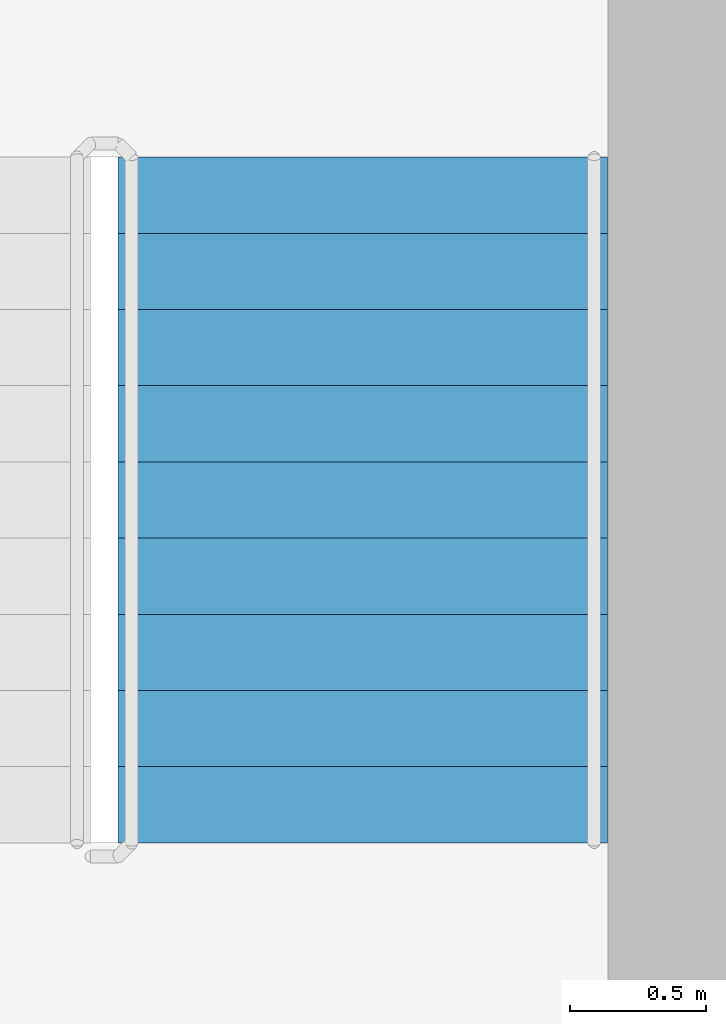
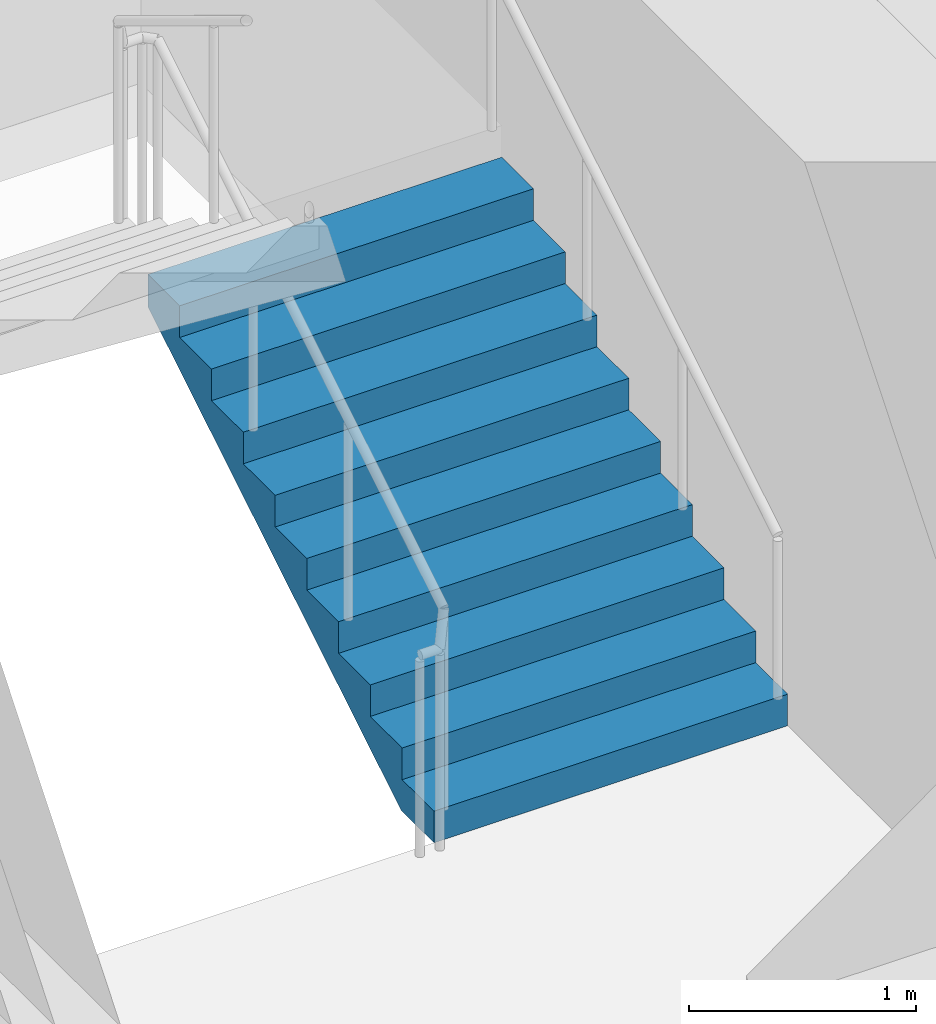
# One storey, part 13 of 23: 1 stair flight, 1 element without a shape of its own.
"""IFC4 building model written with IfcOpenShell, lengths in metres."""

from ifc_helpers import new_model, si_unit, direction, frame, origin, place, context, subcontext, project, spatial, triangles, source, transform, mapped, material, type_object, element, aggregate, save


model = new_model("IFC4")

# Units and contexts
model_context = context("Model", 3, precision=1e-05, world=origin(), true_north=direction((0.0, 1.0)))
body_context = subcontext(model_context, "Body", "Model", "MODEL_VIEW")
ifc_project = project(units=[si_unit("LENGTHUNIT", "METRE"), si_unit("AREAUNIT", "SQUARE_METRE"), si_unit("VOLUMEUNIT", "CUBIC_METRE"), si_unit("PLANEANGLEUNIT", "RADIAN"), si_unit("MASSUNIT", "GRAM", prefix="KILO")], contexts=[model_context])

# Site, building, storey
site_placement = place(None, origin())
site = spatial("IfcSite", under=ifc_project, at=site_placement, CompositionType="ELEMENT")
building_placement = place(site_placement, origin())
building = spatial("IfcBuilding", under=site, at=building_placement, Name="Kilnfold Tower and Market Hall", CompositionType="ELEMENT")
storey_placement = place(building_placement, frame((0.0, 0.0, 178.699951171875)))
storey = spatial("IfcBuildingStorey", under=building, at=storey_placement, Name="L42", CompositionType="ELEMENT", Elevation=178.699951171875)

# Stair, stair flight
ifc_material_1 = material(Name="Concrete C40/50", Category="concrete")
stair_type = type_object("IfcStairType", Name="CORE STAIR 1800", PredefinedType="HALF_TURN_STAIR", material=ifc_material_1)
stair_placement = place(storey_placement, origin())
stair = element("IfcStair", 1, at=stair_placement, inside=storey, type_object=stair_type, Name="L42 ST2", PredefinedType="HALF_TURN_STAIR")
ifc_material_2 = material(Name="Concrete C40/50", Category="concrete")
stair_flight_type = type_object("IfcStairFlightType", Name="CORE STAIR FLIGHT 1800", PredefinedType="STRAIGHT", material=ifc_material_2)
shared_shape = source(origin(), body_context, "Body", "Tessellation", [
    triangles([(0.0, 0.89990234375, 0.0), (0.0, 0.78759765625, 0.0), (0.0, 0.675048828125, 0.0), (0.0, 0.5625, 0.0), (0.0, 0.449951171875, 0.0), (0.0, 0.33740234375, 0.0), (0.0, 0.22509765625, 0.0), (0.0, 0.112548828125, 0.0), (0.0, 0.0, 0.0), (0.0, -0.112548828125, 0.0), (0.0, -0.22509765625, 0.0), (0.0, -0.33740234375, 0.0), (0.0, -0.449951171875, 0.0), (0.0, -0.5625, 0.0), (0.0, -0.675048828125, 0.0), (0.0, -0.78759765625, 0.0), (0.0, -0.89990234375, 0.0), (0.0, 0.89990234375, 0.169921875), (0.0, 0.78759765625, 0.169921875), (0.0, 0.675048828125, 0.169921875), (0.0, 0.5625, 0.169921875), (0.0, 0.449951171875, 0.169921875), (0.0, 0.33740234375, 0.169921875), (0.0, 0.22509765625, 0.169921875), (0.0, 0.112548828125, 0.169921875), (0.0, 0.0, 0.169921875), (0.0, -0.112548828125, 0.169921875), (0.0, -0.22509765625, 0.169921875), (0.0, -0.33740234375, 0.169921875), (0.0, -0.449951171875, 0.169921875), (0.0, -0.5625, 0.169921875), (0.0, -0.675048828125, 0.169921875), (0.0, -0.78759765625, 0.169921875), (0.0, -0.89990234375, 0.169921875), (0.280029296875, 0.89990234375, 0.169921875), (0.280029296875, 0.78759765625, 0.169921875), (0.280029296875, 0.675048828125, 0.169921875), (0.280029296875, 0.5625, 0.169921875), (0.280029296875, 0.449951171875, 0.169921875), (0.280029296875, 0.33740234375, 0.169921875), (0.280029296875, 0.22509765625, 0.169921875), (0.280029296875, 0.112548828125, 0.169921875), (0.280029296875, 0.0, 0.169921875), (0.280029296875, -0.112548828125, 0.169921875), (0.280029296875, -0.22509765625, 0.169921875), (0.280029296875, -0.33740234375, 0.169921875), (0.280029296875, -0.449951171875, 0.169921875), (0.280029296875, -0.5625, 0.169921875), (0.280029296875, -0.675048828125, 0.169921875), (0.280029296875, -0.78759765625, 0.169921875), (0.280029296875, -0.89990234375, 0.169921875), (0.280029296875, 0.89990234375, 0.340087890625), (0.280029296875, 0.78759765625, 0.340087890625), (0.280029296875, 0.675048828125, 0.340087890625), (0.280029296875, 0.5625, 0.340087890625), (0.280029296875, 0.449951171875, 0.340087890625), (0.280029296875, 0.33740234375, 0.340087890625), (0.280029296875, 0.22509765625, 0.340087890625), (0.280029296875, 0.112548828125, 0.340087890625), (0.280029296875, 0.0, 0.340087890625), (0.280029296875, -0.112548828125, 0.340087890625), (0.280029296875, -0.22509765625, 0.340087890625), (0.280029296875, -0.33740234375, 0.340087890625), (0.280029296875, -0.449951171875, 0.340087890625), (0.280029296875, -0.5625, 0.340087890625), (0.280029296875, -0.675048828125, 0.340087890625), (0.280029296875, -0.78759765625, 0.340087890625), (0.280029296875, -0.89990234375, 0.340087890625), (0.56005859375, 0.89990234375, 0.340087890625), (0.56005859375, 0.78759765625, 0.340087890625), (0.56005859375, 0.675048828125, 0.340087890625), (0.56005859375, 0.5625, 0.340087890625), (0.56005859375, 0.449951171875, 0.340087890625), (0.56005859375, 0.33740234375, 0.340087890625), (0.56005859375, 0.22509765625, 0.340087890625), (0.56005859375, 0.112548828125, 0.340087890625), (0.56005859375, 0.0, 0.340087890625), (0.56005859375, -0.112548828125, 0.340087890625), (0.56005859375, -0.22509765625, 0.340087890625), (0.56005859375, -0.33740234375, 0.340087890625), (0.56005859375, -0.449951171875, 0.340087890625), (0.56005859375, -0.5625, 0.340087890625), (0.56005859375, -0.675048828125, 0.340087890625), (0.56005859375, -0.78759765625, 0.340087890625), (0.56005859375, -0.89990234375, 0.340087890625), (0.56005859375, 0.89990234375, 0.510009765625), (0.56005859375, 0.78759765625, 0.510009765625), (0.56005859375, 0.675048828125, 0.510009765625), (0.56005859375, 0.5625, 0.510009765625), (0.56005859375, 0.449951171875, 0.510009765625), (0.56005859375, 0.33740234375, 0.510009765625), (0.56005859375, 0.22509765625, 0.510009765625), (0.56005859375, 0.112548828125, 0.510009765625), (0.56005859375, 0.0, 0.510009765625), (0.56005859375, -0.112548828125, 0.510009765625), (0.56005859375, -0.22509765625, 0.510009765625), (0.56005859375, -0.33740234375, 0.510009765625), (0.56005859375, -0.449951171875, 0.510009765625), (0.56005859375, -0.5625, 0.510009765625), (0.56005859375, -0.675048828125, 0.510009765625), (0.56005859375, -0.78759765625, 0.510009765625), (0.56005859375, -0.89990234375, 0.510009765625), (0.840087890625, 0.89990234375, 0.510009765625), (0.840087890625, 0.78759765625, 0.510009765625), (0.840087890625, 0.675048828125, 0.510009765625), (0.840087890625, 0.5625, 0.510009765625), (0.840087890625, 0.449951171875, 0.510009765625), (0.840087890625, 0.33740234375, 0.510009765625), (0.840087890625, 0.22509765625, 0.510009765625), (0.840087890625, 0.112548828125, 0.510009765625), (0.840087890625, 0.0, 0.510009765625), (0.840087890625, -0.112548828125, 0.510009765625), (0.840087890625, -0.22509765625, 0.510009765625), (0.840087890625, -0.33740234375, 0.510009765625), (0.840087890625, -0.449951171875, 0.510009765625), (0.840087890625, -0.5625, 0.510009765625), (0.840087890625, -0.675048828125, 0.510009765625), (0.840087890625, -0.78759765625, 0.510009765625), (0.840087890625, -0.89990234375, 0.510009765625), (0.840087890625, 0.89990234375, 0.679931640625), (0.840087890625, 0.78759765625, 0.679931640625), (0.840087890625, 0.675048828125, 0.679931640625), (0.840087890625, 0.5625, 0.679931640625), (0.840087890625, 0.449951171875, 0.679931640625), (0.840087890625, 0.33740234375, 0.679931640625), (0.840087890625, 0.22509765625, 0.679931640625), (0.840087890625, 0.112548828125, 0.679931640625), (0.840087890625, 0.0, 0.679931640625), (0.840087890625, -0.112548828125, 0.679931640625), (0.840087890625, -0.22509765625, 0.679931640625), (0.840087890625, -0.33740234375, 0.679931640625), (0.840087890625, -0.449951171875, 0.679931640625), (0.840087890625, -0.5625, 0.679931640625), (0.840087890625, -0.675048828125, 0.679931640625), (0.840087890625, -0.78759765625, 0.679931640625), (0.840087890625, -0.89990234375, 0.679931640625), (1.1201171875, 0.89990234375, 0.679931640625), (1.1201171875, 0.78759765625, 0.679931640625), (1.1201171875, 0.675048828125, 0.679931640625), (1.1201171875, 0.5625, 0.679931640625), (1.1201171875, 0.449951171875, 0.679931640625), (1.1201171875, 0.33740234375, 0.679931640625), (1.1201171875, 0.22509765625, 0.679931640625), (1.1201171875, 0.112548828125, 0.679931640625), (1.1201171875, 0.0, 0.679931640625), (1.1201171875, -0.112548828125, 0.679931640625), (1.1201171875, -0.22509765625, 0.679931640625), (1.1201171875, -0.33740234375, 0.679931640625), (1.1201171875, -0.449951171875, 0.679931640625), (1.1201171875, -0.5625, 0.679931640625), (1.1201171875, -0.675048828125, 0.679931640625), (1.1201171875, -0.78759765625, 0.679931640625), (1.1201171875, -0.89990234375, 0.679931640625), (1.1201171875, 0.89990234375, 0.85009765625), (1.1201171875, 0.78759765625, 0.85009765625), (1.1201171875, 0.675048828125, 0.85009765625), (1.1201171875, 0.5625, 0.85009765625), (1.1201171875, 0.449951171875, 0.85009765625), (1.1201171875, 0.33740234375, 0.85009765625), (1.1201171875, 0.22509765625, 0.85009765625), (1.1201171875, 0.112548828125, 0.85009765625), (1.1201171875, 0.0, 0.85009765625), (1.1201171875, -0.112548828125, 0.85009765625), (1.1201171875, -0.22509765625, 0.85009765625), (1.1201171875, -0.33740234375, 0.85009765625), (1.1201171875, -0.449951171875, 0.85009765625), (1.1201171875, -0.5625, 0.85009765625), (1.1201171875, -0.675048828125, 0.85009765625), (1.1201171875, -0.78759765625, 0.85009765625), (1.1201171875, -0.89990234375, 0.85009765625), (1.39990234375, 0.89990234375, 0.85009765625), (1.39990234375, 0.78759765625, 0.85009765625), (1.39990234375, 0.675048828125, 0.85009765625), (1.39990234375, 0.5625, 0.85009765625), (1.39990234375, 0.449951171875, 0.85009765625), (1.39990234375, 0.33740234375, 0.85009765625), (1.39990234375, 0.22509765625, 0.85009765625), (1.39990234375, 0.112548828125, 0.85009765625), (1.39990234375, 0.0, 0.85009765625), (1.39990234375, -0.112548828125, 0.85009765625), (1.39990234375, -0.22509765625, 0.85009765625), (1.39990234375, -0.33740234375, 0.85009765625), (1.39990234375, -0.449951171875, 0.85009765625), (1.39990234375, -0.5625, 0.85009765625), (1.39990234375, -0.675048828125, 0.85009765625), (1.39990234375, -0.78759765625, 0.85009765625), (1.39990234375, -0.89990234375, 0.85009765625), (1.39990234375, 0.89990234375, 1.02001953125), (1.39990234375, 0.78759765625, 1.02001953125), (1.39990234375, 0.675048828125, 1.02001953125), (1.39990234375, 0.5625, 1.02001953125), (1.39990234375, 0.449951171875, 1.02001953125), (1.39990234375, 0.33740234375, 1.02001953125), (1.39990234375, 0.22509765625, 1.02001953125), (1.39990234375, 0.112548828125, 1.02001953125), (1.39990234375, 0.0, 1.02001953125), (1.39990234375, -0.112548828125, 1.02001953125), (1.39990234375, -0.22509765625, 1.02001953125), (1.39990234375, -0.33740234375, 1.02001953125), (1.39990234375, -0.449951171875, 1.02001953125), (1.39990234375, -0.5625, 1.02001953125), (1.39990234375, -0.675048828125, 1.02001953125), (1.39990234375, -0.78759765625, 1.02001953125), (1.39990234375, -0.89990234375, 1.02001953125), (1.679931640625, 0.89990234375, 1.02001953125), (1.679931640625, 0.78759765625, 1.02001953125), (1.679931640625, 0.675048828125, 1.02001953125), (1.679931640625, 0.5625, 1.02001953125), (1.679931640625, 0.449951171875, 1.02001953125), (1.679931640625, 0.33740234375, 1.02001953125), (1.679931640625, 0.22509765625, 1.02001953125), (1.679931640625, 0.112548828125, 1.02001953125), (1.679931640625, 0.0, 1.02001953125), (1.679931640625, -0.112548828125, 1.02001953125), (1.679931640625, -0.22509765625, 1.02001953125), (1.679931640625, -0.33740234375, 1.02001953125), (1.679931640625, -0.449951171875, 1.02001953125), (1.679931640625, -0.5625, 1.02001953125), (1.679931640625, -0.675048828125, 1.02001953125), (1.679931640625, -0.78759765625, 1.02001953125), (1.679931640625, -0.89990234375, 1.02001953125), (1.679931640625, 0.89990234375, 1.18994140625), (1.679931640625, 0.78759765625, 1.18994140625), (1.679931640625, 0.675048828125, 1.18994140625), (1.679931640625, 0.5625, 1.18994140625), (1.679931640625, 0.449951171875, 1.18994140625), (1.679931640625, 0.33740234375, 1.18994140625), (1.679931640625, 0.22509765625, 1.18994140625), (1.679931640625, 0.112548828125, 1.18994140625), (1.679931640625, 0.0, 1.18994140625), (1.679931640625, -0.112548828125, 1.18994140625), (1.679931640625, -0.22509765625, 1.18994140625), (1.679931640625, -0.33740234375, 1.18994140625), (1.679931640625, -0.449951171875, 1.18994140625), (1.679931640625, -0.5625, 1.18994140625), (1.679931640625, -0.675048828125, 1.18994140625), (1.679931640625, -0.78759765625, 1.18994140625), (1.679931640625, -0.89990234375, 1.18994140625), (1.9599609375, 0.89990234375, 1.18994140625), (1.9599609375, 0.78759765625, 1.18994140625), (1.9599609375, 0.675048828125, 1.18994140625), (1.9599609375, 0.5625, 1.18994140625), (1.9599609375, 0.449951171875, 1.18994140625), (1.9599609375, 0.33740234375, 1.18994140625), (1.9599609375, 0.22509765625, 1.18994140625), (1.9599609375, 0.112548828125, 1.18994140625), (1.9599609375, 0.0, 1.18994140625), (1.9599609375, -0.112548828125, 1.18994140625), (1.9599609375, -0.22509765625, 1.18994140625), (1.9599609375, -0.33740234375, 1.18994140625), (1.9599609375, -0.449951171875, 1.18994140625), (1.9599609375, -0.5625, 1.18994140625), (1.9599609375, -0.675048828125, 1.18994140625), (1.9599609375, -0.78759765625, 1.18994140625), (1.9599609375, -0.89990234375, 1.18994140625), (1.9599609375, 0.89990234375, 1.360107421875), (1.9599609375, 0.78759765625, 1.360107421875), (1.9599609375, 0.675048828125, 1.360107421875), (1.9599609375, 0.5625, 1.360107421875), (1.9599609375, 0.449951171875, 1.360107421875), (1.9599609375, 0.33740234375, 1.360107421875), (1.9599609375, 0.22509765625, 1.360107421875), (1.9599609375, 0.112548828125, 1.360107421875), (1.9599609375, 0.0, 1.360107421875), (1.9599609375, -0.112548828125, 1.360107421875), (1.9599609375, -0.22509765625, 1.360107421875), (1.9599609375, -0.33740234375, 1.360107421875), (1.9599609375, -0.449951171875, 1.360107421875), (1.9599609375, -0.5625, 1.360107421875), (1.9599609375, -0.675048828125, 1.360107421875), (1.9599609375, -0.78759765625, 1.360107421875), (1.9599609375, -0.89990234375, 1.360107421875), (2.239990234375, 0.89990234375, 1.360107421875), (2.239990234375, 0.78759765625, 1.360107421875), (2.239990234375, 0.675048828125, 1.360107421875), (2.239990234375, 0.5625, 1.360107421875), (2.239990234375, 0.449951171875, 1.360107421875), (2.239990234375, 0.33740234375, 1.360107421875), (2.239990234375, 0.22509765625, 1.360107421875), (2.239990234375, 0.112548828125, 1.360107421875), (2.239990234375, 0.0, 1.360107421875), (2.239990234375, -0.112548828125, 1.360107421875), (2.239990234375, -0.22509765625, 1.360107421875), (2.239990234375, -0.33740234375, 1.360107421875), (2.239990234375, -0.449951171875, 1.360107421875), (2.239990234375, -0.5625, 1.360107421875), (2.239990234375, -0.675048828125, 1.360107421875), (2.239990234375, -0.78759765625, 1.360107421875), (2.239990234375, -0.89990234375, 1.360107421875), (2.239990234375, 0.89990234375, 1.530029296875), (2.239990234375, 0.78759765625, 1.530029296875), (2.239990234375, 0.675048828125, 1.530029296875), (2.239990234375, 0.5625, 1.530029296875), (2.239990234375, 0.449951171875, 1.530029296875), (2.239990234375, 0.33740234375, 1.530029296875), (2.239990234375, 0.22509765625, 1.530029296875), (2.239990234375, 0.112548828125, 1.530029296875), (2.239990234375, 0.0, 1.530029296875), (2.239990234375, -0.112548828125, 1.530029296875), (2.239990234375, -0.22509765625, 1.530029296875), (2.239990234375, -0.33740234375, 1.530029296875), (2.239990234375, -0.449951171875, 1.530029296875), (2.239990234375, -0.5625, 1.530029296875), (2.239990234375, -0.675048828125, 1.530029296875), (2.239990234375, -0.78759765625, 1.530029296875), (2.239990234375, -0.89990234375, 1.530029296875), (2.52001953125, 0.89990234375, 1.530029296875), (2.52001953125, 0.78759765625, 1.530029296875), (2.52001953125, 0.675048828125, 1.530029296875), (2.52001953125, 0.5625, 1.530029296875), (2.52001953125, 0.449951171875, 1.530029296875), (2.52001953125, 0.33740234375, 1.530029296875), (2.52001953125, 0.22509765625, 1.530029296875), (2.52001953125, 0.112548828125, 1.530029296875), (2.52001953125, 0.0, 1.530029296875), (2.52001953125, -0.112548828125, 1.530029296875), (2.52001953125, -0.22509765625, 1.530029296875), (2.52001953125, -0.33740234375, 1.530029296875), (2.52001953125, -0.449951171875, 1.530029296875), (2.52001953125, -0.5625, 1.530029296875), (2.52001953125, -0.675048828125, 1.530029296875), (2.52001953125, -0.78759765625, 1.530029296875), (2.52001953125, -0.89990234375, 1.530029296875), (2.52001953125, 0.89990234375, 1.354736328125), (2.52001953125, 0.78759765625, 1.354736328125), (2.52001953125, 0.675048828125, 1.354736328125), (2.52001953125, 0.5625, 1.354736328125), (2.52001953125, 0.449951171875, 1.354736328125), (2.52001953125, 0.33740234375, 1.354736328125), (2.52001953125, 0.22509765625, 1.354736328125), (2.52001953125, 0.112548828125, 1.354736328125), (2.52001953125, 0.0, 1.354736328125), (2.52001953125, -0.112548828125, 1.354736328125), (2.52001953125, -0.22509765625, 1.354736328125), (2.52001953125, -0.33740234375, 1.354736328125), (2.52001953125, -0.449951171875, 1.354736328125), (2.52001953125, -0.5625, 1.354736328125), (2.52001953125, -0.675048828125, 1.354736328125), (2.52001953125, -0.78759765625, 1.354736328125), (2.52001953125, -0.89990234375, 1.354736328125), (0.288818359375, 0.89990234375, 0.0), (0.288818359375, 0.78759765625, 0.0), (0.288818359375, 0.675048828125, 0.0), (0.288818359375, 0.5625, 0.0), (0.288818359375, 0.449951171875, 0.0), (0.288818359375, 0.33740234375, 0.0), (0.288818359375, 0.22509765625, 0.0), (0.288818359375, 0.112548828125, 0.0), (0.288818359375, 0.0, 0.0), (0.288818359375, -0.112548828125, 0.0), (0.288818359375, -0.22509765625, 0.0), (0.288818359375, -0.33740234375, 0.0), (0.288818359375, -0.449951171875, 0.0), (0.288818359375, -0.5625, 0.0), (0.288818359375, -0.675048828125, 0.0), (0.288818359375, -0.78759765625, 0.0), (0.288818359375, -0.89990234375, 0.0)], [[1, 324, 341], [17, 357, 340], [324, 290, 307], [340, 323, 306], [324, 273, 290], [340, 306, 289], [324, 256, 273], [340, 289, 272], [324, 239, 256], [340, 272, 255], [239, 205, 222], [255, 238, 221], [324, 205, 239], [340, 255, 221], [205, 171, 188], [221, 204, 187], [324, 171, 205], [340, 221, 187], [171, 137, 154], [187, 170, 153], [324, 137, 171], [340, 187, 153], [137, 103, 120], [153, 136, 119], [324, 103, 137], [340, 153, 119], [103, 69, 86], [119, 102, 85], [324, 69, 103], [340, 119, 85], [69, 35, 52], [85, 68, 51], [324, 35, 69], [340, 85, 51], [1, 35, 324], [17, 340, 51], [35, 1, 18], [51, 34, 17], [1, 19, 18], [1, 2, 19], [2, 20, 19], [2, 3, 20], [3, 21, 20], [3, 4, 21], [4, 22, 21], [4, 5, 22], [5, 23, 22], [5, 6, 23], [6, 24, 23], [6, 7, 24], [7, 25, 24], [7, 8, 25], [8, 26, 25], [8, 9, 26], [9, 27, 26], [9, 10, 27], [10, 28, 27], [10, 11, 28], [11, 29, 28], [11, 12, 29], [12, 30, 29], [12, 13, 30], [13, 31, 30], [13, 14, 31], [14, 32, 31], [14, 15, 32], [15, 33, 32], [15, 16, 33], [16, 34, 33], [16, 17, 34], [18, 36, 35], [18, 19, 36], [19, 37, 36], [19, 20, 37], [20, 38, 37], [20, 21, 38], [21, 39, 38], [21, 22, 39], [22, 40, 39], [22, 23, 40], [23, 41, 40], [23, 24, 41], [24, 42, 41], [24, 25, 42], [25, 43, 42], [25, 26, 43], [26, 44, 43], [26, 27, 44], [27, 45, 44], [27, 28, 45], [28, 46, 45], [28, 29, 46], [29, 47, 46], [29, 30, 47], [30, 48, 47], [30, 31, 48], [31, 49, 48], [31, 32, 49], [32, 50, 49], [32, 33, 50], [33, 51, 50], [33, 34, 51], [35, 53, 52], [35, 36, 53], [36, 54, 53], [36, 37, 54], [37, 55, 54], [37, 38, 55], [38, 56, 55], [38, 39, 56], [39, 57, 56], [39, 40, 57], [40, 58, 57], [40, 41, 58], [41, 59, 58], [41, 42, 59], [42, 60, 59], [42, 43, 60], [43, 61, 60], [43, 44, 61], [44, 62, 61], [44, 45, 62], [45, 63, 62], [45, 46, 63], [46, 64, 63], [46, 47, 64], [47, 65, 64], [47, 48, 65], [48, 66, 65], [48, 49, 66], [49, 67, 66], [49, 50, 67], [50, 68, 67], [50, 51, 68], [52, 70, 69], [52, 53, 70], [53, 71, 70], [53, 54, 71], [54, 72, 71], [54, 55, 72], [55, 73, 72], [55, 56, 73], [56, 74, 73], [56, 57, 74], [57, 75, 74], [57, 58, 75], [58, 76, 75], [58, 59, 76], [59, 77, 76], [59, 60, 77], [60, 78, 77], [60, 61, 78], [61, 79, 78], [61, 62, 79], [62, 80, 79], [62, 63, 80], [63, 81, 80], [63, 64, 81], [64, 82, 81], [64, 65, 82], [65, 83, 82], [65, 66, 83], [66, 84, 83], [66, 67, 84], [67, 85, 84], [67, 68, 85], [69, 87, 86], [69, 70, 87], [70, 88, 87], [70, 71, 88], [71, 89, 88], [71, 72, 89], [72, 90, 89], [72, 73, 90], [73, 91, 90], [73, 74, 91], [74, 92, 91], [74, 75, 92], [75, 93, 92], [75, 76, 93], [76, 94, 93], [76, 77, 94], [77, 95, 94], [77, 78, 95], [78, 96, 95], [78, 79, 96], [79, 97, 96], [79, 80, 97], [80, 98, 97], [80, 81, 98], [81, 99, 98], [81, 82, 99], [82, 100, 99], [82, 83, 100], [83, 101, 100], [83, 84, 101], [84, 102, 101], [84, 85, 102], [86, 104, 103], [86, 87, 104], [87, 105, 104], [87, 88, 105], [88, 106, 105], [88, 89, 106], [89, 107, 106], [89, 90, 107], [90, 108, 107], [90, 91, 108], [91, 109, 108], [91, 92, 109], [92, 110, 109], [92, 93, 110], [93, 111, 110], [93, 94, 111], [94, 112, 111], [94, 95, 112], [95, 113, 112], [95, 96, 113], [96, 114, 113], [96, 97, 114], [97, 115, 114], [97, 98, 115], [98, 116, 115], [98, 99, 116], [99, 117, 116], [99, 100, 117], [100, 118, 117], [100, 101, 118], [101, 119, 118], [101, 102, 119], [103, 121, 120], [103, 104, 121], [104, 122, 121], [104, 105, 122], [105, 123, 122], [105, 106, 123], [106, 124, 123], [106, 107, 124], [107, 125, 124], [107, 108, 125], [108, 126, 125], [108, 109, 126], [109, 127, 126], [109, 110, 127], [110, 128, 127], [110, 111, 128], [111, 129, 128], [111, 112, 129], [112, 130, 129], [112, 113, 130], [113, 131, 130], [113, 114, 131], [114, 132, 131], [114, 115, 132], [115, 133, 132], [115, 116, 133], [116, 134, 133], [116, 117, 134], [117, 135, 134], [117, 118, 135], [118, 136, 135], [118, 119, 136], [120, 138, 137], [120, 121, 138], [121, 139, 138], [121, 122, 139], [122, 140, 139], [122, 123, 140], [123, 141, 140], [123, 124, 141], [124, 142, 141], [124, 125, 142], [125, 143, 142], [125, 126, 143], [126, 144, 143], [126, 127, 144], [127, 145, 144], [127, 128, 145], [128, 146, 145], [128, 129, 146], [129, 147, 146], [129, 130, 147], [130, 148, 147], [130, 131, 148], [131, 149, 148], [131, 132, 149], [132, 150, 149], [132, 133, 150], [133, 151, 150], [133, 134, 151], [134, 152, 151], [134, 135, 152], [135, 153, 152], [135, 136, 153], [137, 155, 154], [137, 138, 155], [138, 156, 155], [138, 139, 156], [139, 157, 156], [139, 140, 157], [140, 158, 157], [140, 141, 158], [141, 159, 158], [141, 142, 159], [142, 160, 159], [142, 143, 160], [143, 161, 160], [143, 144, 161], [144, 162, 161], [144, 145, 162], [145, 163, 162], [145, 146, 163], [146, 164, 163], [146, 147, 164], [147, 165, 164], [147, 148, 165], [148, 166, 165], [148, 149, 166], [149, 167, 166], [149, 150, 167], [150, 168, 167], [150, 151, 168], [151, 169, 168], [151, 152, 169], [152, 170, 169], [152, 153, 170], [154, 172, 171], [154, 155, 172], [155, 173, 172], [155, 156, 173], [156, 174, 173], [156, 157, 174], [157, 175, 174], [157, 158, 175], [158, 176, 175], [158, 159, 176], [159, 177, 176], [159, 160, 177], [160, 178, 177], [160, 161, 178], [161, 179, 178], [161, 162, 179], [162, 180, 179], [162, 163, 180], [163, 181, 180], [163, 164, 181], [164, 182, 181], [164, 165, 182], [165, 183, 182], [165, 166, 183], [166, 184, 183], [166, 167, 184], [167, 185, 184], [167, 168, 185], [168, 186, 185], [168, 169, 186], [169, 187, 186], [169, 170, 187], [171, 189, 188], [171, 172, 189], [172, 190, 189], [172, 173, 190], [173, 191, 190], [173, 174, 191], [174, 192, 191], [174, 175, 192], [175, 193, 192], [175, 176, 193], [176, 194, 193], [176, 177, 194], [177, 195, 194], [177, 178, 195], [178, 196, 195], [178, 179, 196], [179, 197, 196], [179, 180, 197], [180, 198, 197], [180, 181, 198], [181, 199, 198], [181, 182, 199], [182, 200, 199], [182, 183, 200], [183, 201, 200], [183, 184, 201], [184, 202, 201], [184, 185, 202], [185, 203, 202], [185, 186, 203], [186, 204, 203], [186, 187, 204], [188, 206, 205], [188, 189, 206], [189, 207, 206], [189, 190, 207], [190, 208, 207], [190, 191, 208], [191, 209, 208], [191, 192, 209], [192, 210, 209], [192, 193, 210], [193, 211, 210], [193, 194, 211], [194, 212, 211], [194, 195, 212], [195, 213, 212], [195, 196, 213], [196, 214, 213], [196, 197, 214], [197, 215, 214], [197, 198, 215], [198, 216, 215], [198, 199, 216], [199, 217, 216], [199, 200, 217], [200, 218, 217], [200, 201, 218], [201, 219, 218], [201, 202, 219], [202, 220, 219], [202, 203, 220], [203, 221, 220], [203, 204, 221], [205, 223, 222], [205, 206, 223], [206, 224, 223], [206, 207, 224], [207, 225, 224], [207, 208, 225], [208, 226, 225], [208, 209, 226], [209, 227, 226], [209, 210, 227], [210, 228, 227], [210, 211, 228], [211, 229, 228], [211, 212, 229], [212, 230, 229], [212, 213, 230], [213, 231, 230], [213, 214, 231], [214, 232, 231], [214, 215, 232], [215, 233, 232], [215, 216, 233], [216, 234, 233], [216, 217, 234], [217, 235, 234], [217, 218, 235], [218, 236, 235], [218, 219, 236], [219, 237, 236], [219, 220, 237], [220, 238, 237], [220, 221, 238], [222, 240, 239], [222, 223, 240], [223, 241, 240], [223, 224, 241], [224, 242, 241], [224, 225, 242], [225, 243, 242], [225, 226, 243], [226, 244, 243], [226, 227, 244], [227, 245, 244], [227, 228, 245], [228, 246, 245], [228, 229, 246], [229, 247, 246], [229, 230, 247], [230, 248, 247], [230, 231, 248], [231, 249, 248], [231, 232, 249], [232, 250, 249], [232, 233, 250], [233, 251, 250], [233, 234, 251], [234, 252, 251], [234, 235, 252], [235, 253, 252], [235, 236, 253], [236, 254, 253], [236, 237, 254], [237, 255, 254], [237, 238, 255], [239, 257, 256], [239, 240, 257], [240, 258, 257], [240, 241, 258], [241, 259, 258], [241, 242, 259], [242, 260, 259], [242, 243, 260], [243, 261, 260], [243, 244, 261], [244, 262, 261], [244, 245, 262], [245, 263, 262], [245, 246, 263], [246, 264, 263], [246, 247, 264], [247, 265, 264], [247, 248, 265], [248, 266, 265], [248, 249, 266], [249, 267, 266], [249, 250, 267], [250, 268, 267], [250, 251, 268], [251, 269, 268], [251, 252, 269], [252, 270, 269], [252, 253, 270], [253, 271, 270], [253, 254, 271], [254, 272, 271], [254, 255, 272], [256, 274, 273], [256, 257, 274], [257, 275, 274], [257, 258, 275], [258, 276, 275], [258, 259, 276], [259, 277, 276], [259, 260, 277], [260, 278, 277], [260, 261, 278], [261, 279, 278], [261, 262, 279], [262, 280, 279], [262, 263, 280], [263, 281, 280], [263, 264, 281], [264, 282, 281], [264, 265, 282], [265, 283, 282], [265, 266, 283], [266, 284, 283], [266, 267, 284], [267, 285, 284], [267, 268, 285], [268, 286, 285], [268, 269, 286], [269, 287, 286], [269, 270, 287], [270, 288, 287], [270, 271, 288], [271, 289, 288], [271, 272, 289], [273, 291, 290], [273, 274, 291], [274, 292, 291], [274, 275, 292], [275, 293, 292], [275, 276, 293], [276, 294, 293], [276, 277, 294], [277, 295, 294], [277, 278, 295], [278, 296, 295], [278, 279, 296], [279, 297, 296], [279, 280, 297], [280, 298, 297], [280, 281, 298], [281, 299, 298], [281, 282, 299], [282, 300, 299], [282, 283, 300], [283, 301, 300], [283, 284, 301], [284, 302, 301], [284, 285, 302], [285, 303, 302], [285, 286, 303], [286, 304, 303], [286, 287, 304], [287, 305, 304], [287, 288, 305], [288, 306, 305], [288, 289, 306], [290, 308, 307], [290, 291, 308], [291, 309, 308], [291, 292, 309], [292, 310, 309], [292, 293, 310], [293, 311, 310], [293, 294, 311], [294, 312, 311], [294, 295, 312], [295, 313, 312], [295, 296, 313], [296, 314, 313], [296, 297, 314], [297, 315, 314], [297, 298, 315], [298, 316, 315], [298, 299, 316], [299, 317, 316], [299, 300, 317], [300, 318, 317], [300, 301, 318], [301, 319, 318], [301, 302, 319], [302, 320, 319], [302, 303, 320], [303, 321, 320], [303, 304, 321], [304, 322, 321], [304, 305, 322], [305, 323, 322], [305, 306, 323], [307, 325, 324], [307, 308, 325], [308, 326, 325], [308, 309, 326], [309, 327, 326], [309, 310, 327], [310, 328, 327], [310, 311, 328], [311, 329, 328], [311, 312, 329], [312, 330, 329], [312, 313, 330], [313, 331, 330], [313, 314, 331], [314, 332, 331], [314, 315, 332], [315, 333, 332], [315, 316, 333], [316, 334, 333], [316, 317, 334], [317, 335, 334], [317, 318, 335], [318, 336, 335], [318, 319, 336], [319, 337, 336], [319, 320, 337], [320, 338, 337], [320, 321, 338], [321, 339, 338], [321, 322, 339], [322, 340, 339], [322, 323, 340], [324, 342, 341], [324, 325, 342], [325, 343, 342], [325, 326, 343], [326, 344, 343], [326, 327, 344], [327, 345, 344], [327, 328, 345], [328, 346, 345], [328, 329, 346], [329, 347, 346], [329, 330, 347], [330, 348, 347], [330, 331, 348], [331, 349, 348], [331, 332, 349], [332, 350, 349], [332, 333, 350], [333, 351, 350], [333, 334, 351], [334, 352, 351], [334, 335, 352], [335, 353, 352], [335, 336, 353], [336, 354, 353], [336, 337, 354], [337, 355, 354], [337, 338, 355], [338, 356, 355], [338, 339, 356], [339, 357, 356], [339, 340, 357], [341, 2, 1], [341, 342, 2], [342, 3, 2], [342, 343, 3], [343, 4, 3], [343, 344, 4], [344, 5, 4], [344, 345, 5], [345, 6, 5], [345, 346, 6], [346, 7, 6], [346, 347, 7], [347, 8, 7], [347, 348, 8], [348, 9, 8], [348, 349, 9], [349, 10, 9], [349, 350, 10], [350, 11, 10], [350, 351, 11], [351, 12, 11], [351, 352, 12], [352, 13, 12], [352, 353, 13], [353, 14, 13], [353, 354, 14], [354, 15, 14], [354, 355, 15], [355, 16, 15], [355, 356, 16], [356, 17, 16], [356, 357, 17]], closed=True),
])
stair_flight_placement = place(storey_placement, frame((16.199951171875, 10.800048828125, 0.0), z_axis=(0.0, 0.0, 1.0), x_axis=(0.0, 1.0, 0.0)))
stair_flight = element("IfcStairFlight", 2, at=stair_flight_placement, type_object=stair_flight_type, Name="ST2 flight 1", NumberOfRisers=10, NumberOfTreads=9, PredefinedType="STRAIGHT", RiserHeight=0.17, TreadLength=0.28, context=body_context, shape_type="MappedRepresentation", body=[
    mapped(shared_shape, transform((0.0, 0.0, 0.0))),
])
aggregate(stair, [stair_flight])

save(model, "model.ifc")
